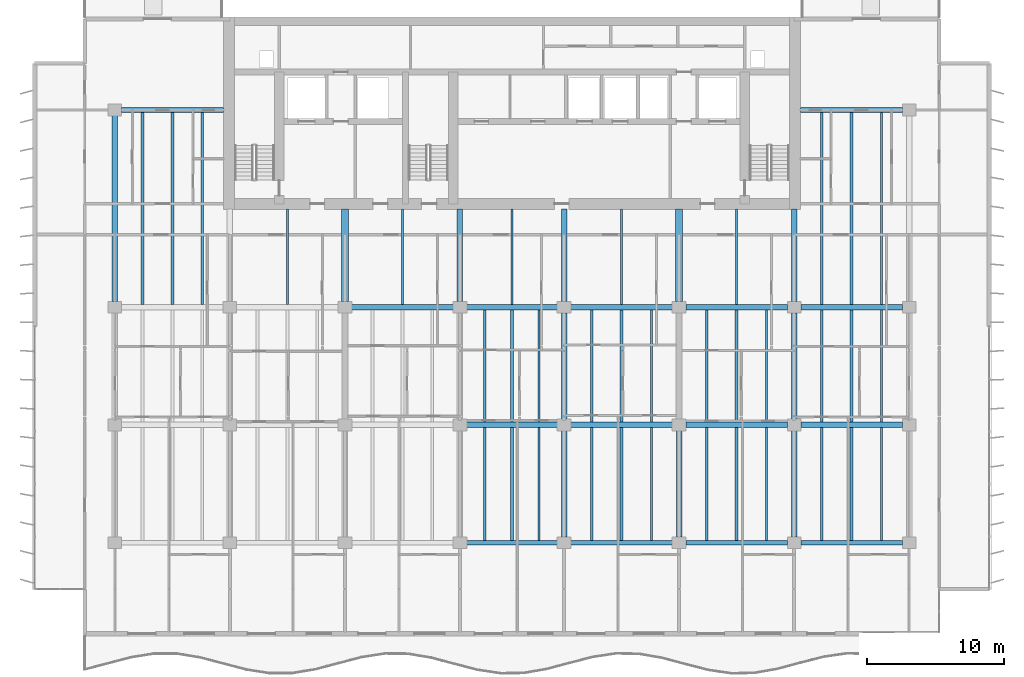
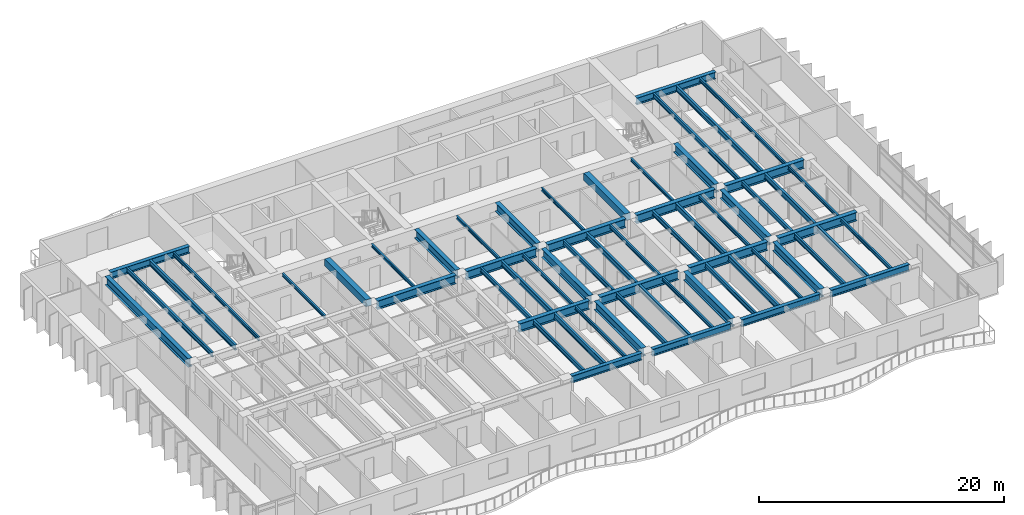
# One storey, part 3 of 18: 61 beams.
"""IFC4 building model written with IfcOpenShell, lengths in metres."""

from ifc_helpers import new_model, si_unit, direction, frame, origin, origin_2d, place, context, subcontext, project, spatial, rectangle, i_section, extrude, material, material_profile, profile_set, type_object, element, save


model = new_model("IFC4")

# Units and contexts
model_context = context("Model", 3, precision=1e-05, world=origin(), true_north=direction((0.0, 1.0)))
body_context = subcontext(model_context, "Body", "Model", "MODEL_VIEW")
ifc_project = project(units=[si_unit("LENGTHUNIT", "METRE"), si_unit("AREAUNIT", "SQUARE_METRE"), si_unit("VOLUMEUNIT", "CUBIC_METRE"), si_unit("PLANEANGLEUNIT", "RADIAN"), si_unit("MASSUNIT", "GRAM", prefix="KILO")], contexts=[model_context])

# Site, building, storey
site_placement = place(None, origin())
site = spatial("IfcSite", under=ifc_project, at=site_placement, CompositionType="ELEMENT")
building_placement = place(site_placement, origin())
building = spatial("IfcBuilding", under=site, at=building_placement, Name="Caelmar Bay Residences", CompositionType="ELEMENT")
storey_placement = place(building_placement, frame((0.0, 0.0, 122.39990234375)))
storey = spatial("IfcBuildingStorey", under=building, at=storey_placement, Name="L33", CompositionType="ELEMENT", Elevation=122.39990234375)

# Beams
ifc_material_1 = material(Name="Steel ASTM A992 Grade 50", Category="steel")
ifc_material_profile_1 = material_profile(ifc_material_1, i_section(OverallWidth=0.40087890625, OverallDepth=0.861083984375, WebThickness=0.019775390625, FlangeThickness=0.032470703125, FilletRadius=0.017822265625, at=origin_2d()), Name="W33X221")
ifc_profile_set_1 = profile_set([ifc_material_profile_1], Name="Steel ASTM A992 Grade 50")
beam_type_1 = type_object("IfcBeamType", Name="BM-GRD-W33X221", PredefinedType="BEAM", material=ifc_profile_set_1)
beam_1_placement = place(storey_placement, frame((35.590087890625, 20.800048828125, 2.61962890625), z_axis=(1.0, 0.0, 0.0), x_axis=(0.0, 1.0, 0.0)))
element("IfcBeam", 1, at=beam_1_placement, inside=storey, type_object=beam_type_1, Name="L33 East-West Girder Y=20.80 (35.1-42.7)", PredefinedType="BEAM", context=body_context, shape_type="SweptSolid", body=[
    extrude(i_section(OverallWidth=0.40087890625, OverallDepth=0.861083984375, WebThickness=0.019775390625, FlangeThickness=0.032470703125, FilletRadius=0.017822265625, at=origin_2d()), origin(), (0.0, 0.0, 1.0), 6.619873046875),
])
beam_2_placement = place(storey_placement, frame((43.18994140625, 20.800048828125, 2.61962890625), z_axis=(1.0, 0.0, 0.0), x_axis=(0.0, 1.0, 0.0)))
element("IfcBeam", 2, at=beam_2_placement, inside=storey, type_object=beam_type_1, Name="L33 East-West Girder Y=20.80 (42.7-51.1)", PredefinedType="BEAM", context=body_context, shape_type="SweptSolid", body=[
    extrude(i_section(OverallWidth=0.40087890625, OverallDepth=0.861083984375, WebThickness=0.019775390625, FlangeThickness=0.032470703125, FilletRadius=0.017822265625, at=origin_2d()), origin(), (0.0, 0.0, 1.0), 7.420166015625),
])
for number, where, z_axis, x_axis, name in (
    (3, (51.590087890625, 20.800048828125, 2.61962890625), (1.0, 0.0, 0.0), (0.0, 1.0, 0.0), "L33 East-West Girder Y=20.80 (51.1-59.5)"),
    (4, (59.989990234375, 20.800048828125, 2.61962890625), (1.0, 0.0, 0.0), (0.0, 1.0, 0.0), "L33 East-West Girder Y=20.80 (59.5-67.9)"),
):
    element("IfcBeam", number, at=place(storey_placement, frame(where, z_axis=z_axis, x_axis=x_axis)), inside=storey, type_object=beam_type_1, Name=name, PredefinedType="BEAM", context=body_context, shape_type="SweptSolid", body=[
        extrude(i_section(OverallWidth=0.40087890625, OverallDepth=0.861083984375, WebThickness=0.019775390625, FlangeThickness=0.032470703125, FilletRadius=0.017822265625, at=origin_2d()), origin(), (0.0, 0.0, 1.0), 7.419921875),
    ])
beam_3_placement = place(storey_placement, frame((27.18994140625, 29.39990234375, 2.61962890625), z_axis=(1.0, 0.0, 0.0), x_axis=(0.0, 1.0, 0.0)))
element("IfcBeam", 5, at=beam_3_placement, inside=storey, type_object=beam_type_1, Name="L33 East-West Girder Y=29.40 (26.7-35.1)", PredefinedType="BEAM", context=body_context, shape_type="SweptSolid", body=[
    extrude(i_section(OverallWidth=0.40087890625, OverallDepth=0.861083984375, WebThickness=0.019775390625, FlangeThickness=0.032470703125, FilletRadius=0.017822265625, at=origin_2d()), origin(), (0.0, 0.0, 1.0), 7.420166015625),
])
beam_4_placement = place(storey_placement, frame((35.590087890625, 29.39990234375, 2.61962890625), z_axis=(1.0, 0.0, 0.0), x_axis=(0.0, 1.0, 0.0)))
element("IfcBeam", 6, at=beam_4_placement, inside=storey, type_object=beam_type_1, Name="L33 East-West Girder Y=29.40 (35.1-42.7)", PredefinedType="BEAM", context=body_context, shape_type="SweptSolid", body=[
    extrude(i_section(OverallWidth=0.40087890625, OverallDepth=0.861083984375, WebThickness=0.019775390625, FlangeThickness=0.032470703125, FilletRadius=0.017822265625, at=origin_2d()), origin(), (0.0, 0.0, 1.0), 6.619873046875),
])
beam_5_placement = place(storey_placement, frame((43.18994140625, 29.39990234375, 2.61962890625), z_axis=(1.0, 0.0, 0.0), x_axis=(0.0, 1.0, 0.0)))
element("IfcBeam", 7, at=beam_5_placement, inside=storey, type_object=beam_type_1, Name="L33 East-West Girder Y=29.40 (42.7-51.1)", PredefinedType="BEAM", context=body_context, shape_type="SweptSolid", body=[
    extrude(i_section(OverallWidth=0.40087890625, OverallDepth=0.861083984375, WebThickness=0.019775390625, FlangeThickness=0.032470703125, FilletRadius=0.017822265625, at=origin_2d()), origin(), (0.0, 0.0, 1.0), 7.420166015625),
])
for number, where, z_axis, x_axis, name in (
    (8, (51.590087890625, 29.39990234375, 2.61962890625), (1.0, 0.0, 0.0), (0.0, 1.0, 0.0), "L33 East-West Girder Y=29.40 (51.1-59.5)"),
    (9, (59.989990234375, 29.39990234375, 2.61962890625), (1.0, 0.0, 0.0), (0.0, 1.0, 0.0), "L33 East-West Girder Y=29.40 (59.5-67.9)"),
):
    element("IfcBeam", number, at=place(storey_placement, frame(where, z_axis=z_axis, x_axis=x_axis)), inside=storey, type_object=beam_type_1, Name=name, PredefinedType="BEAM", context=body_context, shape_type="SweptSolid", body=[
        extrude(i_section(OverallWidth=0.40087890625, OverallDepth=0.861083984375, WebThickness=0.019775390625, FlangeThickness=0.032470703125, FilletRadius=0.017822265625, at=origin_2d()), origin(), (0.0, 0.0, 1.0), 7.419921875),
    ])
beam_6_placement = place(storey_placement, frame((9.89990234375, 29.81494140625, 2.61962890625), z_axis=(0.0, 1.0, 0.0), x_axis=(-1.0, 0.0, 0.0)))
element("IfcBeam", 10, at=beam_6_placement, inside=storey, type_object=beam_type_1, Name="L33 North-South Girder X=9.90 (29.4-43.8)", PredefinedType="BEAM", context=body_context, shape_type="SweptSolid", body=[
    extrude(i_section(OverallWidth=0.40087890625, OverallDepth=0.861083984375, WebThickness=0.019775390625, FlangeThickness=0.032470703125, FilletRadius=0.017822265625, at=origin_2d()), origin(), (0.0, 0.0, 1.0), 13.570068359375),
])
for number, where, z_axis, x_axis, name in (
    (11, (35.10009765625, 29.81494140625, 2.61962890625), (0.0, 1.0, 0.0), (-1.0, 0.0, 0.0), "L33 Core Tie Girder X=35.10"),
    (12, (42.699951171875, 29.81494140625, 2.61962890625), (0.0, 1.0, 0.0), (-1.0, 0.0, 0.0), "L33 Core Tie Girder X=42.70"),
):
    element("IfcBeam", number, at=place(storey_placement, frame(where, z_axis=z_axis, x_axis=x_axis)), inside=storey, type_object=beam_type_1, Name=name, PredefinedType="BEAM", context=body_context, shape_type="SweptSolid", body=[
        extrude(i_section(OverallWidth=0.40087890625, OverallDepth=0.861083984375, WebThickness=0.019775390625, FlangeThickness=0.032470703125, FilletRadius=0.017822265625, at=origin_2d()), origin(), (0.0, 0.0, 1.0), 6.735107421875),
    ])
for number, where, z_axis, x_axis, name in (
    (13, (42.699951171875, 12.614990234375, 2.61962890625), (0.0, 1.0, 0.0), (-1.0, 0.0, 0.0), "L33 North-South Girder X=42.70 (12.2-20.8)"),
    (14, (42.699951171875, 21.215087890625, 2.61962890625), (0.0, 1.0, 0.0), (-1.0, 0.0, 0.0), "L33 North-South Girder X=42.70 (20.8-29.4)"),
    (15, (51.10009765625, 12.614990234375, 2.61962890625), (0.0, 1.0, 0.0), (-1.0, 0.0, 0.0), "L33 North-South Girder X=51.10 (12.2-20.8)"),
):
    element("IfcBeam", number, at=place(storey_placement, frame(where, z_axis=z_axis, x_axis=x_axis)), inside=storey, type_object=beam_type_1, Name=name, PredefinedType="BEAM", context=body_context, shape_type="SweptSolid", body=[
        extrude(i_section(OverallWidth=0.40087890625, OverallDepth=0.861083984375, WebThickness=0.019775390625, FlangeThickness=0.032470703125, FilletRadius=0.017822265625, at=origin_2d()), origin(), (0.0, 0.0, 1.0), 7.77001953125),
    ])
beam_7_placement = place(storey_placement, frame((59.5, 29.81494140625, 2.61962890625), z_axis=(0.0, 1.0, 0.0), x_axis=(-1.0, 0.0, 0.0)))
element("IfcBeam", 16, at=beam_7_placement, inside=storey, type_object=beam_type_1, Name="L33 Core Tie Girder X=59.50", PredefinedType="BEAM", context=body_context, shape_type="SweptSolid", body=[
    extrude(i_section(OverallWidth=0.40087890625, OverallDepth=0.861083984375, WebThickness=0.019775390625, FlangeThickness=0.032470703125, FilletRadius=0.017822265625, at=origin_2d()), origin(), (0.0, 0.0, 1.0), 6.735107421875),
])
for number, where, z_axis, x_axis, name in (
    (17, (59.5, 12.614990234375, 2.61962890625), (0.0, 1.0, 0.0), (-1.0, 0.0, 0.0), "L33 North-South Girder X=59.50 (12.2-20.8)"),
    (18, (59.5, 21.215087890625, 2.61962890625), (0.0, 1.0, 0.0), (-1.0, 0.0, 0.0), "L33 North-South Girder X=59.50 (20.8-29.4)"),
):
    element("IfcBeam", number, at=place(storey_placement, frame(where, z_axis=z_axis, x_axis=x_axis)), inside=storey, type_object=beam_type_1, Name=name, PredefinedType="BEAM", context=body_context, shape_type="SweptSolid", body=[
        extrude(i_section(OverallWidth=0.40087890625, OverallDepth=0.861083984375, WebThickness=0.019775390625, FlangeThickness=0.032470703125, FilletRadius=0.017822265625, at=origin_2d()), origin(), (0.0, 0.0, 1.0), 7.77001953125),
    ])
ifc_material_profile_2 = material_profile(ifc_material_1, i_section(OverallWidth=0.1650390625, OverallDepth=0.31005859375, WebThickness=0.005859375, FlangeThickness=0.009765625, FilletRadius=0.007568359375, at=origin_2d()), Name="W12X26")
ifc_profile_set_2 = profile_set([ifc_material_profile_2], Name="Steel ASTM A992 Grade 50")
beam_type_2 = type_object("IfcBeamType", Name="BM-JST-W12X26", PredefinedType="JOIST", material=ifc_profile_set_2)
for number, where, z_axis, x_axis, name in (
    (19, (22.5, 29.6005859375, 2.89501953125), (0.0, 1.0, 0.0), (-1.0, 0.0, 0.0), "L33 Core-Band Composite Joist 43"),
    (20, (30.89990234375, 29.6005859375, 2.89501953125), (0.0, 1.0, 0.0), (-1.0, 0.0, 0.0), "L33 Core-Band Composite Joist 44"),
    (21, (38.89990234375, 29.6005859375, 2.89501953125), (0.0, 1.0, 0.0), (-1.0, 0.0, 0.0), "L33 Core-Band Composite Joist 45"),
    (22, (46.89990234375, 29.6005859375, 2.89501953125), (0.0, 1.0, 0.0), (-1.0, 0.0, 0.0), "L33 Core-Band Composite Joist 46"),
    (23, (55.300048828125, 29.6005859375, 2.89501953125), (0.0, 1.0, 0.0), (-1.0, 0.0, 0.0), "L33 Core-Band Composite Joist 47"),
):
    element("IfcBeam", number, at=place(storey_placement, frame(where, z_axis=z_axis, x_axis=x_axis)), inside=storey, type_object=beam_type_2, Name=name, PredefinedType="JOIST", context=body_context, shape_type="SweptSolid", body=[
        extrude(i_section(OverallWidth=0.1650390625, OverallDepth=0.31005859375, WebThickness=0.005859375, FlangeThickness=0.009765625, FilletRadius=0.007568359375, at=origin_2d()), origin(), (0.0, 0.0, 1.0), 6.949462890625),
    ])
ifc_material_profile_3 = material_profile(ifc_material_1, i_section(OverallWidth=0.1708984375, OverallDepth=0.35595703125, WebThickness=0.007080078125, FlangeThickness=0.01171875, FilletRadius=0.007568359375, at=origin_2d()), Name="W14X34")
ifc_profile_set_3 = profile_set([ifc_material_profile_3], Name="Steel ASTM A992 Grade 50")
beam_type_3 = type_object("IfcBeamType", Name="BM-JST-W14X34", PredefinedType="JOIST", material=ifc_profile_set_3)
for number, where, z_axis, x_axis, name in (
    (24, (40.8759765625, 12.3779296875, 2.8720703125), (0.0, 1.0, 0.0), (-1.0, 0.0, 0.0), "L33 Composite Floor Joist 12"),
    (25, (49.083984375, 12.3779296875, 2.8720703125), (0.0, 1.0, 0.0), (-1.0, 0.0, 0.0), "L33 Composite Floor Joist 15"),
    (26, (57.48388671875, 12.3779296875, 2.8720703125), (0.0, 1.0, 0.0), (-1.0, 0.0, 0.0), "L33 Composite Floor Joist 18"),
    (27, (65.884033203125, 12.3779296875, 2.8720703125), (0.0, 1.0, 0.0), (-1.0, 0.0, 0.0), "L33 Composite Floor Joist 21"),
):
    element("IfcBeam", number, at=place(storey_placement, frame(where, z_axis=z_axis, x_axis=x_axis)), inside=storey, type_object=beam_type_3, Name=name, PredefinedType="JOIST", context=body_context, shape_type="SweptSolid", body=[
        extrude(i_section(OverallWidth=0.1708984375, OverallDepth=0.35595703125, WebThickness=0.007080078125, FlangeThickness=0.01171875, FilletRadius=0.007568359375, at=origin_2d()), origin(), (0.0, 0.0, 1.0), 8.2216796875),
    ])
for number, where, z_axis, x_axis, name in (
    (28, (40.8759765625, 21.00048828125, 2.8720703125), (0.0, 1.0, 0.0), (-1.0, 0.0, 0.0), "L33 Composite Floor Joist 33"),
    (29, (49.083984375, 21.00048828125, 2.8720703125), (0.0, 1.0, 0.0), (-1.0, 0.0, 0.0), "L33 Composite Floor Joist 36"),
    (30, (57.48388671875, 21.00048828125, 2.8720703125), (0.0, 1.0, 0.0), (-1.0, 0.0, 0.0), "L33 Composite Floor Joist 39"),
    (31, (65.884033203125, 21.00048828125, 2.8720703125), (0.0, 1.0, 0.0), (-1.0, 0.0, 0.0), "L33 Composite Floor Joist 42"),
):
    element("IfcBeam", number, at=place(storey_placement, frame(where, z_axis=z_axis, x_axis=x_axis)), inside=storey, type_object=beam_type_3, Name=name, PredefinedType="JOIST", context=body_context, shape_type="SweptSolid", body=[
        extrude(i_section(OverallWidth=0.1708984375, OverallDepth=0.35595703125, WebThickness=0.007080078125, FlangeThickness=0.01171875, FilletRadius=0.007568359375, at=origin_2d()), origin(), (0.0, 0.0, 1.0), 8.198974609375),
    ])
for number, where, z_axis, x_axis, name in (
    (32, (16.283935546875, 29.6005859375, 2.8720703125), (0.0, 1.0, 0.0), (-1.0, 0.0, 0.0), "L33 Composite Floor Joist 50"),
    (33, (65.884033203125, 29.6005859375, 2.8720703125), (0.0, 1.0, 0.0), (-1.0, 0.0, 0.0), "L33 Composite Floor Joist 53"),
):
    element("IfcBeam", number, at=place(storey_placement, frame(where, z_axis=z_axis, x_axis=x_axis)), inside=storey, type_object=beam_type_3, Name=name, PredefinedType="JOIST", context=body_context, shape_type="SweptSolid", body=[
        extrude(i_section(OverallWidth=0.1708984375, OverallDepth=0.35595703125, WebThickness=0.007080078125, FlangeThickness=0.01171875, FilletRadius=0.007568359375, at=origin_2d()), origin(), (0.0, 0.0, 1.0), 14.021484375),
    ])
ifc_material_profile_4 = material_profile(ifc_material_1, i_section(OverallWidth=0.19091796875, OverallDepth=0.45703125, WebThickness=0.009033203125, FlangeThickness=0.014404296875, FilletRadius=0.01025390625, at=origin_2d()), Name="W18X50")
ifc_profile_set_4 = profile_set([ifc_material_profile_4], Name="Steel ASTM A992 Grade 50")
beam_type_4 = type_object("IfcBeamType", Name="BM-JST-W18X50", PredefinedType="JOIST", material=ifc_profile_set_4)
for number, where, z_axis, x_axis, name in (
    (34, (36.924072265625, 12.3779296875, 2.821533203125), (0.0, 1.0, 0.0), (-1.0, 0.0, 0.0), "L33 Composite Floor Joist 10"),
    (35, (44.716064453125, 12.3779296875, 2.821533203125), (0.0, 1.0, 0.0), (-1.0, 0.0, 0.0), "L33 Composite Floor Joist 13"),
    (36, (53.115966796875, 12.3779296875, 2.821533203125), (0.0, 1.0, 0.0), (-1.0, 0.0, 0.0), "L33 Composite Floor Joist 16"),
    (37, (61.51611328125, 12.3779296875, 2.821533203125), (0.0, 1.0, 0.0), (-1.0, 0.0, 0.0), "L33 Composite Floor Joist 19"),
):
    element("IfcBeam", number, at=place(storey_placement, frame(where, z_axis=z_axis, x_axis=x_axis)), inside=storey, type_object=beam_type_4, Name=name, PredefinedType="JOIST", context=body_context, shape_type="SweptSolid", body=[
        extrude(i_section(OverallWidth=0.19091796875, OverallDepth=0.45703125, WebThickness=0.009033203125, FlangeThickness=0.014404296875, FilletRadius=0.01025390625, at=origin_2d()), origin(), (0.0, 0.0, 1.0), 8.2216796875),
    ])
for number, where, z_axis, x_axis, name in (
    (38, (36.924072265625, 21.00048828125, 2.821533203125), (0.0, 1.0, 0.0), (-1.0, 0.0, 0.0), "L33 Composite Floor Joist 31"),
    (39, (44.716064453125, 21.00048828125, 2.821533203125), (0.0, 1.0, 0.0), (-1.0, 0.0, 0.0), "L33 Composite Floor Joist 34"),
    (40, (53.115966796875, 21.00048828125, 2.821533203125), (0.0, 1.0, 0.0), (-1.0, 0.0, 0.0), "L33 Composite Floor Joist 37"),
    (41, (61.51611328125, 21.00048828125, 2.821533203125), (0.0, 1.0, 0.0), (-1.0, 0.0, 0.0), "L33 Composite Floor Joist 40"),
):
    element("IfcBeam", number, at=place(storey_placement, frame(where, z_axis=z_axis, x_axis=x_axis)), inside=storey, type_object=beam_type_4, Name=name, PredefinedType="JOIST", context=body_context, shape_type="SweptSolid", body=[
        extrude(i_section(OverallWidth=0.19091796875, OverallDepth=0.45703125, WebThickness=0.009033203125, FlangeThickness=0.014404296875, FilletRadius=0.01025390625, at=origin_2d()), origin(), (0.0, 0.0, 1.0), 8.198974609375),
    ])
for number, where, z_axis, x_axis, name in (
    (42, (11.916015625, 29.6005859375, 2.821533203125), (0.0, 1.0, 0.0), (-1.0, 0.0, 0.0), "L33 Composite Floor Joist 48"),
    (43, (61.51611328125, 29.6005859375, 2.821533203125), (0.0, 1.0, 0.0), (-1.0, 0.0, 0.0), "L33 Composite Floor Joist 51"),
):
    element("IfcBeam", number, at=place(storey_placement, frame(where, z_axis=z_axis, x_axis=x_axis)), inside=storey, type_object=beam_type_4, Name=name, PredefinedType="JOIST", context=body_context, shape_type="SweptSolid", body=[
        extrude(i_section(OverallWidth=0.19091796875, OverallDepth=0.45703125, WebThickness=0.009033203125, FlangeThickness=0.014404296875, FilletRadius=0.01025390625, at=origin_2d()), origin(), (0.0, 0.0, 1.0), 14.021484375),
    ])
ifc_material_profile_5 = material_profile(ifc_material_1, i_section(OverallWidth=0.214111328125, OverallDepth=0.549072265625, WebThickness=0.0146484375, FlangeThickness=0.023681640625, FilletRadius=0.0126953125, at=origin_2d()), Name="W21X93")
ifc_profile_set_5 = profile_set([ifc_material_profile_5], Name="Steel ASTM A992 Grade 50")
beam_type_5 = type_object("IfcBeamType", Name="BM-JST-W21X93", PredefinedType="JOIST", material=ifc_profile_set_5)
for number, where, z_axis, x_axis, name in (
    (44, (38.89990234375, 12.3779296875, 2.775634765625), (0.0, 1.0, 0.0), (-1.0, 0.0, 0.0), "L33 Composite Floor Joist 11"),
    (45, (46.89990234375, 12.3779296875, 2.775634765625), (0.0, 1.0, 0.0), (-1.0, 0.0, 0.0), "L33 Composite Floor Joist 14"),
    (46, (55.300048828125, 12.3779296875, 2.775634765625), (0.0, 1.0, 0.0), (-1.0, 0.0, 0.0), "L33 Composite Floor Joist 17"),
    (47, (63.699951171875, 12.3779296875, 2.775634765625), (0.0, 1.0, 0.0), (-1.0, 0.0, 0.0), "L33 Composite Floor Joist 20"),
):
    element("IfcBeam", number, at=place(storey_placement, frame(where, z_axis=z_axis, x_axis=x_axis)), inside=storey, type_object=beam_type_5, Name=name, PredefinedType="JOIST", context=body_context, shape_type="SweptSolid", body=[
        extrude(i_section(OverallWidth=0.214111328125, OverallDepth=0.549072265625, WebThickness=0.0146484375, FlangeThickness=0.023681640625, FilletRadius=0.0126953125, at=origin_2d()), origin(), (0.0, 0.0, 1.0), 8.2216796875),
    ])
for number, where, z_axis, x_axis, name in (
    (48, (38.89990234375, 21.00048828125, 2.775634765625), (0.0, 1.0, 0.0), (-1.0, 0.0, 0.0), "L33 Composite Floor Joist 32"),
    (49, (46.89990234375, 21.00048828125, 2.775634765625), (0.0, 1.0, 0.0), (-1.0, 0.0, 0.0), "L33 Composite Floor Joist 35"),
    (50, (55.300048828125, 21.00048828125, 2.775634765625), (0.0, 1.0, 0.0), (-1.0, 0.0, 0.0), "L33 Composite Floor Joist 38"),
    (51, (63.699951171875, 21.00048828125, 2.775634765625), (0.0, 1.0, 0.0), (-1.0, 0.0, 0.0), "L33 Composite Floor Joist 41"),
):
    element("IfcBeam", number, at=place(storey_placement, frame(where, z_axis=z_axis, x_axis=x_axis)), inside=storey, type_object=beam_type_5, Name=name, PredefinedType="JOIST", context=body_context, shape_type="SweptSolid", body=[
        extrude(i_section(OverallWidth=0.214111328125, OverallDepth=0.549072265625, WebThickness=0.0146484375, FlangeThickness=0.023681640625, FilletRadius=0.0126953125, at=origin_2d()), origin(), (0.0, 0.0, 1.0), 8.198974609375),
    ])
for number, where, z_axis, x_axis, name in (
    (52, (14.10009765625, 29.6005859375, 2.775634765625), (0.0, 1.0, 0.0), (-1.0, 0.0, 0.0), "L33 Composite Floor Joist 49"),
    (53, (63.699951171875, 29.6005859375, 2.775634765625), (0.0, 1.0, 0.0), (-1.0, 0.0, 0.0), "L33 Composite Floor Joist 52"),
):
    element("IfcBeam", number, at=place(storey_placement, frame(where, z_axis=z_axis, x_axis=x_axis)), inside=storey, type_object=beam_type_5, Name=name, PredefinedType="JOIST", context=body_context, shape_type="SweptSolid", body=[
        extrude(i_section(OverallWidth=0.214111328125, OverallDepth=0.549072265625, WebThickness=0.0146484375, FlangeThickness=0.023681640625, FilletRadius=0.0126953125, at=origin_2d()), origin(), (0.0, 0.0, 1.0), 14.021484375),
    ])
ifc_material_2 = material(Name="Concrete f'c 55 MPa (8,000 psi)", Category="concrete")
ifc_material_profile_6 = material_profile(ifc_material_2, rectangle(XDim=0.5, YDim=0.699951171875, at=origin_2d()), Name="RC-BM-500X700")
ifc_profile_set_6 = profile_set([ifc_material_profile_6], Name="Concrete f'c 55 MPa (8,000 psi)")
beam_type_6 = type_object("IfcBeamType", Name="BM-RC-500X700", PredefinedType="LINTEL", material=ifc_profile_set_6)
for number, where, z_axis, x_axis, name in (
    (54, (26.699951171875, 29.81494140625, 2.7001953125), (0.0, 1.0, 0.0), (-1.0, 0.0, 0.0), "L33 Shear-Wall Corridor Coupling Lintel W5"),
    (55, (51.10009765625, 29.81494140625, 2.7001953125), (0.0, 1.0, 0.0), (-1.0, 0.0, 0.0), "L33 Shear-Wall Corridor Coupling Lintel E8"),
):
    element("IfcBeam", number, at=place(storey_placement, frame(where, z_axis=z_axis, x_axis=x_axis)), inside=storey, type_object=beam_type_6, Name=name, PredefinedType="LINTEL", context=body_context, shape_type="SweptSolid", body=[
        extrude(rectangle(XDim=0.5, YDim=0.699951171875, at=origin_2d()), origin(), (0.0, 0.0, 1.0), 6.735107421875),
    ])
ifc_material_profile_7 = material_profile(ifc_material_1, i_section(OverallWidth=0.35595703125, OverallDepth=0.696044921875, WebThickness=0.015380859375, FlangeThickness=0.02490234375, FilletRadius=0.01513671875, at=origin_2d()), Name="W27X146")
ifc_profile_set_7 = profile_set([ifc_material_profile_7], Name="Steel ASTM A992 Grade 50")
beam_type_7 = type_object("IfcBeamType", Name="BM-SPN-W27X146", PredefinedType="SPANDREL", material=ifc_profile_set_7)
beam_8_placement = place(storey_placement, frame((35.590087890625, 12.199951171875, 2.7021484375), z_axis=(1.0, 0.0, 0.0), x_axis=(0.0, 1.0, 0.0)))
element("IfcBeam", 56, at=beam_8_placement, inside=storey, type_object=beam_type_7, Name="L33 East-West Girder Y=12.20 (35.1-42.7)", PredefinedType="SPANDREL", context=body_context, shape_type="SweptSolid", body=[
    extrude(i_section(OverallWidth=0.35595703125, OverallDepth=0.696044921875, WebThickness=0.015380859375, FlangeThickness=0.02490234375, FilletRadius=0.01513671875, at=origin_2d()), origin(), (0.0, 0.0, 1.0), 6.619873046875),
])
beam_9_placement = place(storey_placement, frame((43.18994140625, 12.199951171875, 2.7021484375), z_axis=(1.0, 0.0, 0.0), x_axis=(0.0, 1.0, 0.0)))
element("IfcBeam", 57, at=beam_9_placement, inside=storey, type_object=beam_type_7, Name="L33 East-West Girder Y=12.20 (42.7-51.1)", PredefinedType="SPANDREL", context=body_context, shape_type="SweptSolid", body=[
    extrude(i_section(OverallWidth=0.35595703125, OverallDepth=0.696044921875, WebThickness=0.015380859375, FlangeThickness=0.02490234375, FilletRadius=0.01513671875, at=origin_2d()), origin(), (0.0, 0.0, 1.0), 7.420166015625),
])
for number, where, z_axis, x_axis, name in (
    (58, (51.590087890625, 12.199951171875, 2.7021484375), (1.0, 0.0, 0.0), (0.0, 1.0, 0.0), "L33 East-West Girder Y=12.20 (51.1-59.5)"),
    (59, (59.989990234375, 12.199951171875, 2.7021484375), (1.0, 0.0, 0.0), (0.0, 1.0, 0.0), "L33 East-West Girder Y=12.20 (59.5-67.9)"),
):
    element("IfcBeam", number, at=place(storey_placement, frame(where, z_axis=z_axis, x_axis=x_axis)), inside=storey, type_object=beam_type_7, Name=name, PredefinedType="SPANDREL", context=body_context, shape_type="SweptSolid", body=[
        extrude(i_section(OverallWidth=0.35595703125, OverallDepth=0.696044921875, WebThickness=0.015380859375, FlangeThickness=0.02490234375, FilletRadius=0.01513671875, at=origin_2d()), origin(), (0.0, 0.0, 1.0), 7.419921875),
    ])
beam_10_placement = place(storey_placement, frame((10.389892578125, 43.800048828125, 2.7021484375), z_axis=(1.0, 0.0, 0.0), x_axis=(0.0, 1.0, 0.0)))
element("IfcBeam", 60, at=beam_10_placement, inside=storey, type_object=beam_type_7, Name="L33 North-West Wing Core Tie Girder", PredefinedType="SPANDREL", context=body_context, shape_type="SweptSolid", body=[
    extrude(i_section(OverallWidth=0.35595703125, OverallDepth=0.696044921875, WebThickness=0.015380859375, FlangeThickness=0.02490234375, FilletRadius=0.01513671875, at=origin_2d()), origin(), (0.0, 0.0, 1.0), 7.460205078125),
])
beam_11_placement = place(storey_placement, frame((59.949951171875, 43.800048828125, 2.7021484375), z_axis=(1.0, 0.0, 0.0), x_axis=(0.0, 1.0, 0.0)))
element("IfcBeam", 61, at=beam_11_placement, inside=storey, type_object=beam_type_7, Name="L33 North-East Wing Core Tie Girder", PredefinedType="SPANDREL", context=body_context, shape_type="SweptSolid", body=[
    extrude(i_section(OverallWidth=0.35595703125, OverallDepth=0.696044921875, WebThickness=0.015380859375, FlangeThickness=0.02490234375, FilletRadius=0.01513671875, at=origin_2d()), origin(), (0.0, 0.0, 1.0), 7.4599609375),
])

save(model, "model.ifc")
